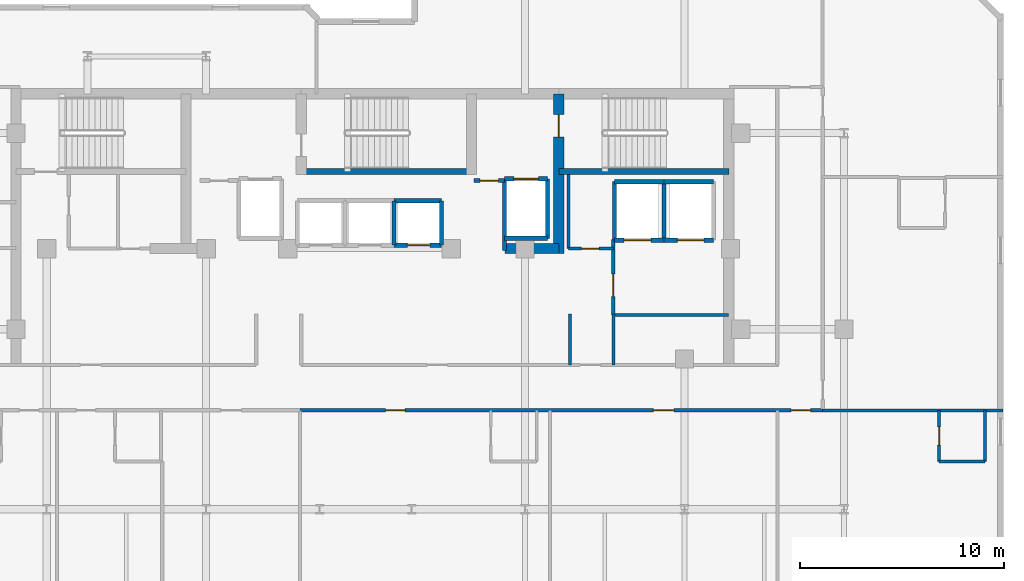
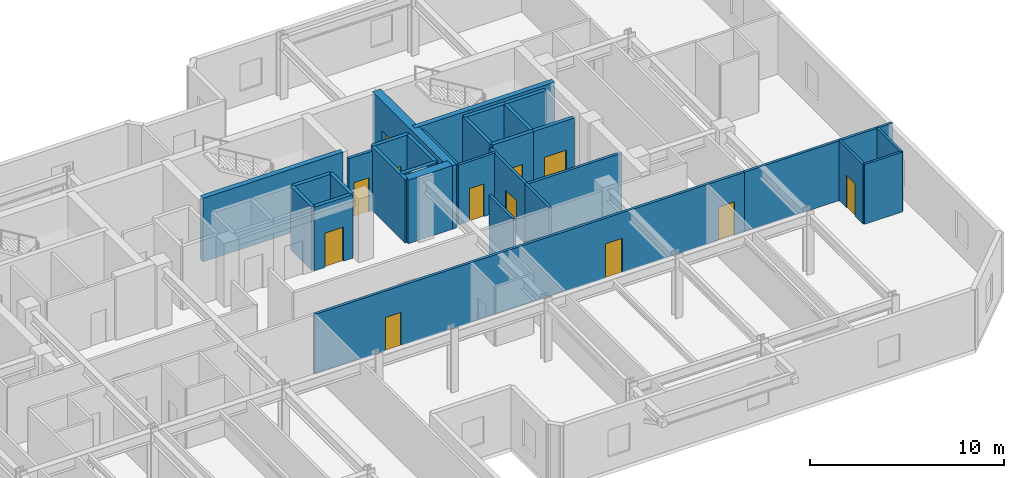
# One storey, part 6 of 10: 30 walls, 12 doors, 12 openings.
"""IFC4 building model written with IfcOpenShell, lengths in metres."""

from ifc_helpers import new_model, si_unit, direction, frame, frame_2d, origin, place, context, subcontext, project, spatial, rectangle, extrude, material, layer, layer_set, type_object, element, fill, save


model = new_model("IFC4")

# Units and contexts
model_context = context("Model", 3, precision=1e-05, world=origin(), true_north=direction((0.0, 1.0)))
body_context = subcontext(model_context, "Body", "Model", "MODEL_VIEW")
ifc_project = project(units=[si_unit("LENGTHUNIT", "METRE"), si_unit("AREAUNIT", "SQUARE_METRE"), si_unit("VOLUMEUNIT", "CUBIC_METRE"), si_unit("PLANEANGLEUNIT", "RADIAN"), si_unit("MASSUNIT", "GRAM", prefix="KILO")], contexts=[model_context])

# Site, building, storey
site_placement = place(None, origin())
site = spatial("IfcSite", under=ifc_project, at=site_placement, CompositionType="ELEMENT")
building_placement = place(site_placement, origin())
building = spatial("IfcBuilding", under=site, at=building_placement, Name="Kestravale Grand Hotel", CompositionType="ELEMENT")
storey_placement = place(building_placement, frame((0.0, 0.0, 281.39990234375)))
storey = spatial("IfcBuildingStorey", under=building, at=storey_placement, Name="L70", CompositionType="ELEMENT", Elevation=281.39990234375)

# Wall
ifc_material_1 = material(Name="Concrete f'c 50 MPa", Category="concrete")
ifc_layer_1 = layer(ifc_material_1, 0.5)
ifc_layer_set_1 = layer_set([ifc_layer_1], Name="EW-CORE-500")
wall_type_1 = type_object("IfcWallType", Name="EW-CORE-500", PredefinedType="SHEAR", material=ifc_layer_set_1)
wall_1_placement = place(storey_placement, frame((45.81005859375, 32.75, 0.0), z_axis=(0.0, 0.0, 1.0), x_axis=(1.0, 0.0, 0.0)))
element("IfcWall", 1, at=wall_1_placement, inside=storey, type_object=wall_type_1, Name="L70 core shear wall S2", PredefinedType="SHEAR", context=body_context, shape_type="SweptSolid", body=[
    extrude(rectangle(XDim=2.639892578125, YDim=0.5, at=frame_2d((1.31982421875, 0.0))), origin(), (0.0, 0.0, 1.0), 4.0),
])

# Wall, opening, door
wall_2_placement = place(storey_placement, frame((48.449951171875, 32.5, 0.0), z_axis=(0.0, 0.0, 1.0), x_axis=(0.0, 1.0, 0.0)))
wall_2 = element("IfcWall", 2, at=wall_2_placement, inside=storey, type_object=wall_type_1, Name="L70 core shear wall X4", PredefinedType="SHEAR", context=body_context, shape_type="SweptSolid", body=[
    extrude(rectangle(XDim=7.820068359375, YDim=0.5, at=frame_2d((3.91015625, 0.0))), origin(), (0.0, 0.0, 1.0), 4.0),
])
opening_1_placement = place(wall_2_placement, frame((5.699951171875, 0.0, 0.0)))
opening_1 = element("IfcOpeningElement", 3, at=opening_1_placement, cuts=wall_2, Name="Opening D-ST-1100", PredefinedType="OPENING", context=body_context, shape_type="SweptSolid", body=[
    extrude(rectangle(XDim=1.10009765625, YDim=2.14990234375, at=frame_2d((0.550048828125, 1.074951171875))), frame((0.0, 0.260009765625, 0.0), z_axis=(0.0, -1.0, 0.0), x_axis=(1.0, 0.0, 0.0)), (0.0, 0.0, 1.0), 0.52001953125),
])
ifc_material_2 = material(Name="Galvanised 90-minute fire-rated steel stair door", Category="steel")
door_type_1 = type_object("IfcDoorType", Name="D-ST-1100", OperationType="NOTDEFINED", PredefinedType="DOOR", material=ifc_material_2)
door_1_placement = place(opening_1_placement, origin())
door_1 = element("IfcDoor", 4, at=door_1_placement, inside=storey, type_object=door_type_1, Name="L70 Stair ST-3 FSAE fire door", OperationType="SINGLE_SWING_RIGHT", OverallHeight=2.14990234375, OverallWidth=1.10009765625, PredefinedType="DOOR", context=body_context, shape_type="SweptSolid", body=[
    extrude(rectangle(XDim=1.10009765625, YDim=2.14990234375, at=frame_2d((0.550048828125, 1.074951171875))), frame((0.0, 0.02490234375, 0.0), z_axis=(0.0, -1.0, 0.0), x_axis=(1.0, 0.0, 0.0)), (0.0, 0.0, 1.0), 0.050048828125),
])
fill(opening_1, door_1)

# Walls
ifc_material_3 = material(Name="Concrete f'c 45 MPa", Category="concrete")
ifc_layer_2 = layer(ifc_material_3, 0.300048828125)
ifc_layer_set_2 = layer_set([ifc_layer_2], Name="EW-STAIR-300")
wall_type_2 = type_object("IfcWallType", Name="EW-STAIR-300", PredefinedType="SHEAR", material=ifc_layer_set_2)
wall_3_placement = place(storey_placement, frame((35.85009765625, 36.52001953125, 0.0), z_axis=(0.0, 0.0, 1.0), x_axis=(1.0, 0.0, 0.0)))
element("IfcWall", 5, at=wall_3_placement, inside=storey, type_object=wall_type_2, Name="L70 stair enclosure shear wall SST2", PredefinedType="SHEAR", context=body_context, shape_type="SweptSolid", body=[
    extrude(rectangle(XDim=8.329833984375, YDim=0.300048828125, at=frame_2d((4.1650390625, 0.0))), origin(), (0.0, 0.0, 1.0), 4.0),
])
wall_4_placement = place(storey_placement, frame((48.449951171875, 36.52001953125, 0.0), z_axis=(0.0, 0.0, 1.0), x_axis=(1.0, 0.0, 0.0)))
element("IfcWall", 6, at=wall_4_placement, inside=storey, type_object=wall_type_2, Name="L70 stair enclosure shear wall SST3", PredefinedType="SHEAR", context=body_context, shape_type="SweptSolid", body=[
    extrude(rectangle(XDim=8.320068359375, YDim=0.300048828125, at=frame_2d((4.16015625, 0.0))), origin(), (0.0, 0.0, 1.0), 4.0),
])

# Wall, opening, door
ifc_material_4 = material(Name="Acoustic fire-rated gypsum board partition", Category="other")
ifc_layer_3 = layer(ifc_material_4, 0.159912109375)
ifc_layer_set_3 = layer_set([ifc_layer_3], Name="IW-CORR-160")
wall_type_3 = type_object("IfcWallType", Name="IW-CORR-160", PredefinedType="PARTITIONING", material=ifc_layer_set_3)
wall_5_placement = place(storey_placement, frame((51.1201171875, 29.5, 0.0), z_axis=(0.0, 0.0, 1.0), x_axis=(0.0, 1.0, 0.0)))
wall_5 = element("IfcWall", 7, at=wall_5_placement, inside=storey, type_object=wall_type_3, Name="W-L70-SVCLOB-W", PredefinedType="PARTITIONING", context=body_context, shape_type="SweptSolid", body=[
    extrude(rectangle(XDim=3.699951171875, YDim=0.159912109375, at=frame_2d((1.85009765625, 0.0))), origin(), (0.0, 0.0, 1.0), 3.760009765625),
])
opening_2_placement = place(wall_5_placement, frame((0.89990234375, 0.0, 0.0)))
opening_2 = element("IfcOpeningElement", 8, at=opening_2_placement, cuts=wall_5, Name="Opening D-CORR-1100", PredefinedType="OPENING", context=body_context, shape_type="SweptSolid", body=[
    extrude(rectangle(XDim=1.10009765625, YDim=2.14990234375, at=frame_2d((0.550048828125, 1.074951171875))), frame((0.0, 0.08984375, 0.0), z_axis=(0.0, -1.0, 0.0), x_axis=(1.0, 0.0, 0.0)), (0.0, 0.0, 1.0), 0.179931640625),
])
ifc_material_5 = material(Name="Single-leaf service vestibule fire door", Category="steel")
door_type_2 = type_object("IfcDoorType", Name="D-CORR-1100", OperationType="NOTDEFINED", PredefinedType="DOOR", material=ifc_material_5)
door_2_placement = place(opening_2_placement, origin())
door_2 = element("IfcDoor", 9, at=door_2_placement, inside=storey, type_object=door_type_2, Name="L70 service lift lobby door", OperationType="SINGLE_SWING_LEFT", OverallHeight=2.14990234375, OverallWidth=1.10009765625, PredefinedType="DOOR", context=body_context, shape_type="SweptSolid", body=[
    extrude(rectangle(XDim=1.10009765625, YDim=2.14990234375, at=frame_2d((0.550048828125, 1.074951171875))), frame((0.0, 0.02490234375, 0.0), z_axis=(0.0, -1.0, 0.0), x_axis=(1.0, 0.0, 0.0)), (0.0, 0.0, 1.0), 0.050048828125),
])
fill(opening_2, door_2)

# Wall
wall_6_placement = place(storey_placement, frame((51.1201171875, 29.5, 0.0), z_axis=(0.0, 0.0, 1.0), x_axis=(1.0, 0.0, 0.0)))
element("IfcWall", 10, at=wall_6_placement, inside=storey, type_object=wall_type_3, Name="L70 service lift lobby wall", PredefinedType="PARTITIONING", context=body_context, shape_type="SweptSolid", body=[
    extrude(rectangle(XDim=5.6298828125, YDim=0.159912109375, at=frame_2d((2.81494140625, 0.0))), origin(), (0.0, 0.0, 1.0), 3.760009765625),
])

# Wall, opening, door
wall_7_placement = place(storey_placement, frame((48.919921875, 32.75, 0.0), z_axis=(0.0, 0.0, 1.0), x_axis=(1.0, 0.0, 0.0)))
wall_7 = element("IfcWall", 11, at=wall_7_placement, inside=storey, type_object=wall_type_3, Name="W-L70-CES", PredefinedType="PARTITIONING", context=body_context, shape_type="SweptSolid", body=[
    extrude(rectangle(XDim=2.2001953125, YDim=0.159912109375, at=frame_2d((1.10009765625, 0.0))), origin(), (0.0, 0.0, 1.0), 3.760009765625),
])
opening_3_placement = place(wall_7_placement, frame((0.64990234375, 0.0, 0.0)))
opening_3 = element("IfcOpeningElement", 12, at=opening_3_placement, cuts=wall_7, Name="Opening D-SH-860", PredefinedType="OPENING", context=body_context, shape_type="SweptSolid", body=[
    extrude(rectangle(XDim=0.860107421875, YDim=2.050048828125, at=frame_2d((0.43017578125, 1.02490234375))), frame((0.0, 0.08984375, 0.0), z_axis=(0.0, -1.0, 0.0), x_axis=(1.0, 0.0, 0.0)), (0.0, 0.0, 1.0), 0.179931640625),
])
ifc_material_6 = material(Name="Galvanised 90-minute riser fire door", Category="steel")
door_type_3 = type_object("IfcDoorType", Name="D-SH-860", OperationType="NOTDEFINED", PredefinedType="DOOR", material=ifc_material_6)
door_3_placement = place(opening_3_placement, origin())
door_3 = element("IfcDoor", 13, at=door_3_placement, inside=storey, type_object=door_type_3, Name="L70 CSTO1 door", OperationType="SINGLE_SWING_RIGHT", OverallHeight=2.050048828125, OverallWidth=0.860107421875, PredefinedType="DOOR", context=body_context, shape_type="SweptSolid", body=[
    extrude(rectangle(XDim=0.860107421875, YDim=2.050048828125, at=frame_2d((0.43017578125, 1.02490234375))), frame((0.0, 0.02490234375, 0.0), z_axis=(0.0, -1.0, 0.0), x_axis=(1.0, 0.0, 0.0)), (0.0, 0.0, 1.0), 0.050048828125),
])
fill(opening_3, door_3)

# Wall, openings, doors
wall_8_placement = place(storey_placement, frame((35.800048828125, 24.840087890625, 0.0), z_axis=(0.0, 0.0, 1.0), x_axis=(1.0, 0.0, 0.0)))
wall_8 = element("IfcWall", 14, at=wall_8_placement, inside=storey, type_object=wall_type_3, Name="W-L70-CE-S", PredefinedType="PARTITIONING", context=body_context, shape_type="SweptSolid", body=[
    extrude(rectangle(XDim=25.56005859375, YDim=0.159912109375, at=frame_2d((12.780029296875, 0.0))), origin(), (0.0, 0.0, 1.0), 3.760009765625),
])
opening_4_placement = place(wall_8_placement, frame((4.18505859375, 0.0, 0.0)))
opening_4 = element("IfcOpeningElement", 15, at=opening_4_placement, cuts=wall_8, Name="Opening D-GUEST-950", PredefinedType="OPENING", context=body_context, shape_type="SweptSolid", body=[
    extrude(rectangle(XDim=0.949951171875, YDim=2.10009765625, at=frame_2d((0.47509765625, 1.050048828125))), frame((0.0, 0.08984375, 0.0), z_axis=(0.0, -1.0, 0.0), x_axis=(1.0, 0.0, 0.0)), (0.0, 0.0, 1.0), 0.179931640625),
])
opening_5_placement = place(wall_8_placement, frame((17.280029296875, 0.0, 0.0)))
opening_5 = element("IfcOpeningElement", 16, at=opening_5_placement, cuts=wall_8, Name="Opening D-GUEST-1000", PredefinedType="OPENING", context=body_context, shape_type="SweptSolid", body=[
    extrude(rectangle(XDim=1.0, YDim=2.14990234375, at=frame_2d((0.5, 1.074951171875))), frame((0.0, 0.08984375, 0.0), z_axis=(0.0, -1.0, 0.0), x_axis=(1.0, 0.0, 0.0)), (0.0, 0.0, 1.0), 0.179931640625),
])
opening_6_placement = place(wall_8_placement, frame((24.014892578125, 0.0, 0.0)))
opening_6 = element("IfcOpeningElement", 17, at=opening_6_placement, cuts=wall_8, Name="Opening D-GUEST-950", PredefinedType="OPENING", context=body_context, shape_type="SweptSolid", body=[
    extrude(rectangle(XDim=0.949951171875, YDim=2.10009765625, at=frame_2d((0.47509765625, 1.050048828125))), frame((0.0, 0.08984375, 0.0), z_axis=(0.0, -1.0, 0.0), x_axis=(1.0, 0.0, 0.0)), (0.0, 0.0, 1.0), 0.179931640625),
])
ifc_material_7 = material(Name="Accessible walnut veneer hotel entrance fire door", Category="wood")
door_type_4 = type_object("IfcDoorType", Name="D-GUEST-1000", OperationType="NOTDEFINED", PredefinedType="DOOR", material=ifc_material_7)
door_4_placement = place(opening_5_placement, origin())
door_4 = element("IfcDoor", 18, at=door_4_placement, inside=storey, type_object=door_type_4, Name="D-L70-AME", OperationType="SINGLE_SWING_LEFT", OverallHeight=2.14990234375, OverallWidth=1.0, PredefinedType="DOOR", context=body_context, shape_type="SweptSolid", body=[
    extrude(rectangle(XDim=1.0, YDim=2.14990234375, at=frame_2d((0.5, 1.074951171875))), frame((0.0, 0.02490234375, 0.0), z_axis=(0.0, -1.0, 0.0), x_axis=(1.0, 0.0, 0.0)), (0.0, 0.0, 1.0), 0.050048828125),
])
fill(opening_5, door_4)
ifc_material_8 = material(Name="Walnut veneer hotel guestroom entrance fire door", Category="wood")
door_type_5 = type_object("IfcDoorType", Name="D-GUEST-950", OperationType="NOTDEFINED", PredefinedType="DOOR", material=ifc_material_8)
door_5_placement = place(opening_4_placement, origin())
door_5 = element("IfcDoor", 19, at=door_5_placement, inside=storey, type_object=door_type_5, Name="D-L70-U03-ENT", OperationType="SINGLE_SWING_RIGHT", OverallHeight=2.10009765625, OverallWidth=0.949951171875, PredefinedType="DOOR", context=body_context, shape_type="SweptSolid", body=[
    extrude(rectangle(XDim=0.949951171875, YDim=2.10009765625, at=frame_2d((0.47509765625, 1.050048828125))), frame((0.0, 0.02490234375, 0.0), z_axis=(0.0, -1.0, 0.0), x_axis=(1.0, 0.0, 0.0)), (0.0, 0.0, 1.0), 0.050048828125),
])
fill(opening_4, door_5)
door_6_placement = place(opening_6_placement, origin())
door_6 = element("IfcDoor", 20, at=door_6_placement, inside=storey, type_object=door_type_5, Name="D-L70-U07-ENT", OperationType="SINGLE_SWING_RIGHT", OverallHeight=2.10009765625, OverallWidth=0.949951171875, PredefinedType="DOOR", context=body_context, shape_type="SweptSolid", body=[
    extrude(rectangle(XDim=0.949951171875, YDim=2.10009765625, at=frame_2d((0.47509765625, 1.050048828125))), frame((0.0, 0.02490234375, 0.0), z_axis=(0.0, -1.0, 0.0), x_axis=(1.0, 0.0, 0.0)), (0.0, 0.0, 1.0), 0.050048828125),
])
fill(opening_6, door_6)

# Wall, opening, door
ifc_material_9 = material(Name="Fire-rated gypsum board on steel studs with mineral wool", Category="steel")
ifc_layer_4 = layer(ifc_material_9, 0.179931640625)
ifc_layer_set_4 = layer_set([ifc_layer_4], Name="IW-FSAE-180")
wall_type_4 = type_object("IfcWallType", Name="IW-FSAE-180", PredefinedType="PARTITIONING", material=ifc_layer_set_4)
wall_9_placement = place(storey_placement, frame((44.300048828125, 36.080078125, 0.0), z_axis=(0.0, 0.0, 1.0), x_axis=(1.0, 0.0, 0.0)))
wall_9 = element("IfcWall", 21, at=wall_9_placement, inside=storey, type_object=wall_type_4, Name="L70 FSAE Lobby 2 smoke barrier", PredefinedType="PARTITIONING", context=body_context, shape_type="SweptSolid", body=[
    extrude(rectangle(XDim=1.5, YDim=0.179931640625, at=frame_2d((0.75, 0.0))), origin(), (0.0, 0.0, 1.0), 3.760009765625),
])
opening_7_placement = place(wall_9_placement, frame((0.300048828125, 0.0, 0.0)))
opening_7 = element("IfcOpeningElement", 22, at=opening_7_placement, cuts=wall_9, Name="Opening D-FSAE-1000", PredefinedType="OPENING", context=body_context, shape_type="SweptSolid", body=[
    extrude(rectangle(XDim=0.89990234375, YDim=2.14990234375, at=frame_2d((0.449951171875, 1.074951171875))), frame((0.0, 0.099853515625, 0.0), z_axis=(0.0, -1.0, 0.0), x_axis=(1.0, 0.0, 0.0)), (0.0, 0.0, 1.0), 0.199951171875),
])
ifc_material_10 = material(Name="Smoke-gasketed FSAE lobby fire door", Category="steel")
door_type_6 = type_object("IfcDoorType", Name="D-FSAE-1000", OperationType="NOTDEFINED", PredefinedType="DOOR", material=ifc_material_10)
door_7_placement = place(opening_7_placement, origin())
door_7 = element("IfcDoor", 23, at=door_7_placement, inside=storey, type_object=door_type_6, Name="L70 FSAE Lobby 2 fire door", OperationType="SINGLE_SWING_LEFT", OverallHeight=2.14990234375, OverallWidth=0.89990234375, PredefinedType="DOOR", context=body_context, shape_type="SweptSolid", body=[
    extrude(rectangle(XDim=0.89990234375, YDim=2.14990234375, at=frame_2d((0.449951171875, 1.074951171875))), frame((0.0, 0.02490234375, 0.0), z_axis=(0.0, -1.0, 0.0), x_axis=(1.0, 0.0, 0.0)), (0.0, 0.0, 1.0), 0.050048828125),
])
fill(opening_7, door_7)

ifc_material_11 = material(Name="Moisture-resistant tile-backer plumbing chase wall", Category="other")
ifc_layer_5 = layer(ifc_material_11, 0.139892578125)
ifc_layer_set_5 = layer_set([ifc_layer_5], Name="IW-PLB-140")
wall_type_5 = type_object("IfcWallType", Name="IW-PLB-140", PredefinedType="PLUMBINGWALL", material=ifc_layer_set_5)
wall_10_placement = place(storey_placement, frame((67.050048828125, 22.330078125, 0.0), z_axis=(0.0, 0.0, 1.0), x_axis=(0.0, 1.0, 0.0)))
wall_10 = element("IfcWall", 24, at=wall_10_placement, inside=storey, type_object=wall_type_5, Name="W-L70-U07-BW", PredefinedType="PLUMBINGWALL", context=body_context, shape_type="SweptSolid", body=[
    extrude(rectangle(XDim=2.489990234375, YDim=0.139892578125, at=frame_2d((1.2451171875, 0.0))), origin(), (0.0, 0.0, 1.0), 3.760009765625),
])
opening_8_placement = place(wall_10_placement, frame((0.804931640625, 0.0, 0.0)))
opening_8 = element("IfcOpeningElement", 25, at=opening_8_placement, cuts=wall_10, Name="Opening D-BATH-880", PredefinedType="OPENING", context=body_context, shape_type="SweptSolid", body=[
    extrude(rectangle(XDim=0.8798828125, YDim=2.050048828125, at=frame_2d((0.43994140625, 1.02490234375))), frame((0.0, 0.079833984375, 0.0), z_axis=(0.0, -1.0, 0.0), x_axis=(1.0, 0.0, 0.0)), (0.0, 0.0, 1.0), 0.159912109375),
])
ifc_material_12 = material(Name="Moisture-sealed walnut en-suite bathroom door", Category="wood")
door_type_7 = type_object("IfcDoorType", Name="D-BATH-880", OperationType="NOTDEFINED", PredefinedType="DOOR", material=ifc_material_12)
door_8_placement = place(opening_8_placement, origin())
door_8 = element("IfcDoor", 26, at=door_8_placement, inside=storey, type_object=door_type_7, Name="D-L70-U07-BATH", OperationType="SINGLE_SWING_LEFT", OverallHeight=2.050048828125, OverallWidth=0.8798828125, PredefinedType="DOOR", context=body_context, shape_type="SweptSolid", body=[
    extrude(rectangle(XDim=0.8798828125, YDim=2.050048828125, at=frame_2d((0.43994140625, 1.02490234375))), frame((0.0, 0.02490234375, 0.0), z_axis=(0.0, -1.0, 0.0), x_axis=(1.0, 0.0, 0.0)), (0.0, 0.0, 1.0), 0.050048828125),
])
fill(opening_8, door_8)

# Walls
wall_11_placement = place(storey_placement, frame((69.300048828125, 22.330078125, 0.0), z_axis=(0.0, 0.0, 1.0), x_axis=(0.0, 1.0, 0.0)))
element("IfcWall", 27, at=wall_11_placement, inside=storey, type_object=wall_type_5, Name="W-L70-U07-BE", PredefinedType="PLUMBINGWALL", context=body_context, shape_type="SweptSolid", body=[
    extrude(rectangle(XDim=2.489990234375, YDim=0.139892578125, at=frame_2d((1.2451171875, 0.0))), origin(), (0.0, 0.0, 1.0), 3.760009765625),
])
wall_12_placement = place(storey_placement, frame((67.050048828125, 22.330078125, 0.0), z_axis=(0.0, 0.0, 1.0), x_axis=(1.0, 0.0, 0.0)))
element("IfcWall", 28, at=wall_12_placement, inside=storey, type_object=wall_type_5, Name="W-L70-U07-BS", PredefinedType="PLUMBINGWALL", context=body_context, shape_type="SweptSolid", body=[
    extrude(rectangle(XDim=2.25, YDim=0.139892578125, at=frame_2d((1.125, 0.0))), origin(), (0.0, 0.0, 1.0), 3.760009765625),
])
ifc_material_13 = material(Name="Concrete f'c 45 MPa", Category="concrete")
ifc_layer_6 = layer(ifc_material_13, 0.199951171875)
ifc_layer_set_6 = layer_set([ifc_layer_6], Name="IW-SHAFT-200")
wall_type_6 = type_object("IfcWallType", Name="IW-SHAFT-200", PredefinedType="SHEAR", material=ifc_layer_set_6)
for number, where, z_axis, x_axis, name in (
    (29, (40.39990234375, 32.919921875, 0.0), (0.0, 0.0, 1.0), (0.0, 1.0, 0.0), "L70 PL-X3 west shaft wall"),
    (30, (42.719970703125, 32.919921875, 0.0), (0.0, 0.0, 1.0), (0.0, 1.0, 0.0), "L70 PL-X3 east shaft wall"),
):
    element("IfcWall", number, at=place(storey_placement, frame(where, z_axis=z_axis, x_axis=x_axis)), inside=storey, type_object=wall_type_6, Name=name, PredefinedType="SHEAR", context=body_context, shape_type="SweptSolid", body=[
        extrude(rectangle(XDim=2.16015625, YDim=0.199951171875, at=frame_2d((1.080078125, 0.0))), origin(), (0.0, 0.0, 1.0), 4.0),
    ])
for number, where, z_axis, x_axis, name in (
    (31, (51.179931640625, 33.169921875, 0.0), (0.0, 0.0, 1.0), (0.0, 1.0, 0.0), "L70 SL-1 west shaft wall"),
    (32, (53.60009765625, 33.169921875, 0.0), (0.0, 0.0, 1.0), (0.0, 1.0, 0.0), "L70 SL-2 west shaft wall"),
):
    element("IfcWall", number, at=place(storey_placement, frame(where, z_axis=z_axis, x_axis=x_axis)), inside=storey, type_object=wall_type_6, Name=name, PredefinedType="SHEAR", context=body_context, shape_type="SweptSolid", body=[
        extrude(rectangle(XDim=2.860107421875, YDim=0.199951171875, at=frame_2d((1.43017578125, 0.0))), origin(), (0.0, 0.0, 1.0), 4.0),
    ])
wall_13_placement = place(storey_placement, frame((45.804931640625, 32.64990234375, 0.0), z_axis=(0.0, 0.0, 1.0), x_axis=(0.0, 1.0, 0.0)))
element("IfcWall", 33, at=wall_13_placement, inside=storey, type_object=wall_type_6, Name="L70 FL-2 west shaft wall", PredefinedType="SHEAR", context=body_context, shape_type="SweptSolid", body=[
    extrude(rectangle(XDim=3.505126953125, YDim=0.199951171875, at=frame_2d((1.75244140625, 0.0))), origin(), (0.0, 0.0, 1.0), 4.0),
])
wall_14_placement = place(storey_placement, frame((47.89501953125, 33.2451171875, 0.0), z_axis=(0.0, 0.0, 1.0), x_axis=(0.0, 1.0, 0.0)))
element("IfcWall", 34, at=wall_14_placement, inside=storey, type_object=wall_type_6, Name="L70 FL-2 east shaft wall", PredefinedType="SHEAR", context=body_context, shape_type="SweptSolid", body=[
    extrude(rectangle(XDim=2.909912109375, YDim=0.199951171875, at=frame_2d((1.455078125, 0.0))), origin(), (0.0, 0.0, 1.0), 4.0),
])
ifc_material_14 = material(Name="Concrete f'c 45 MPa", Category="concrete")
ifc_layer_7 = layer(ifc_material_14, 0.219970703125)
ifc_layer_set_7 = layer_set([ifc_layer_7], Name="IW-SHAFT-220")
wall_type_7 = type_object("IfcWallType", Name="IW-SHAFT-220", PredefinedType="SHEAR", material=ifc_layer_set_7)
wall_15_placement = place(storey_placement, frame((40.39990234375, 35.080078125, 0.0), z_axis=(0.0, 0.0, 1.0), x_axis=(1.0, 0.0, 0.0)))
element("IfcWall", 35, at=wall_15_placement, inside=storey, type_object=wall_type_7, Name="L70 PL-X3 north shaft wall", PredefinedType="SHEAR", context=body_context, shape_type="SweptSolid", body=[
    extrude(rectangle(XDim=2.320068359375, YDim=0.219970703125, at=frame_2d((1.16015625, 0.0))), origin(), (0.0, 0.0, 1.0), 4.0),
])

# Wall, opening, door
wall_16_placement = place(storey_placement, frame((40.39990234375, 32.919921875, 0.0), z_axis=(0.0, 0.0, 1.0), x_axis=(1.0, 0.0, 0.0)))
wall_16 = element("IfcWall", 36, at=wall_16_placement, inside=storey, type_object=wall_type_7, Name="L70 PL-X3 south shaft wall", PredefinedType="SHEAR", context=body_context, shape_type="SweptSolid", body=[
    extrude(rectangle(XDim=2.320068359375, YDim=0.219970703125, at=frame_2d((1.16015625, 0.0))), origin(), (0.0, 0.0, 1.0), 4.0),
])
opening_9_placement = place(wall_16_placement, frame((0.64990234375, 0.0, 0.0)))
opening_9 = element("IfcOpeningElement", 37, at=opening_9_placement, cuts=wall_16, Name="Opening LD-PAX-1100", PredefinedType="OPENING", context=body_context, shape_type="SweptSolid", body=[
    extrude(rectangle(XDim=1.10009765625, YDim=2.14990234375, at=frame_2d((0.550048828125, 1.074951171875))), frame((0.0, 0.119873046875, 0.0), z_axis=(0.0, -1.0, 0.0), x_axis=(1.0, 0.0, 0.0)), (0.0, 0.0, 1.0), 0.239990234375),
])
ifc_material_15 = material(Name="Champagne-bronze center-opening sliding elevator landing door", Category="steel")
door_type_8 = type_object("IfcDoorType", Name="LD-PAX-1100", OperationType="NOTDEFINED", PredefinedType="DOOR", material=ifc_material_15)
door_9_placement = place(opening_9_placement, origin())
door_9 = element("IfcDoor", 38, at=door_9_placement, inside=storey, type_object=door_type_8, Name="L70 PL-X3 elevator landing sliding door", OperationType="DOUBLE_DOOR_SLIDING", OverallHeight=2.14990234375, OverallWidth=1.10009765625, PredefinedType="DOOR", context=body_context, shape_type="SweptSolid", body=[
    extrude(rectangle(XDim=1.10009765625, YDim=2.14990234375, at=frame_2d((0.550048828125, 1.074951171875))), frame((0.0, 0.02490234375, 0.0), z_axis=(0.0, -1.0, 0.0), x_axis=(1.0, 0.0, 0.0)), (0.0, 0.0, 1.0), 0.050048828125),
])
fill(opening_9, door_9)

# Wall
wall_17_placement = place(storey_placement, frame((51.179931640625, 36.030029296875, 0.0), z_axis=(0.0, 0.0, 1.0), x_axis=(1.0, 0.0, 0.0)))
element("IfcWall", 39, at=wall_17_placement, inside=storey, type_object=wall_type_7, Name="L70 SL-1 north shaft wall", PredefinedType="SHEAR", context=body_context, shape_type="SweptSolid", body=[
    extrude(rectangle(XDim=2.420166015625, YDim=0.219970703125, at=frame_2d((1.2099609375, 0.0))), origin(), (0.0, 0.0, 1.0), 4.0),
])

# Wall, opening, door
wall_18_placement = place(storey_placement, frame((51.179931640625, 33.169921875, 0.0), z_axis=(0.0, 0.0, 1.0), x_axis=(1.0, 0.0, 0.0)))
wall_18 = element("IfcWall", 40, at=wall_18_placement, inside=storey, type_object=wall_type_7, Name="L70 SL-1 south shaft wall", PredefinedType="SHEAR", context=body_context, shape_type="SweptSolid", body=[
    extrude(rectangle(XDim=2.420166015625, YDim=0.219970703125, at=frame_2d((1.2099609375, 0.0))), origin(), (0.0, 0.0, 1.0), 4.0),
])
opening_10_placement = place(wall_18_placement, frame((0.469970703125, 0.0, 0.0)))
opening_10 = element("IfcOpeningElement", 41, at=opening_10_placement, cuts=wall_18, Name="Opening LD-SVC-1300", PredefinedType="OPENING", context=body_context, shape_type="SweptSolid", body=[
    extrude(rectangle(XDim=1.300048828125, YDim=2.14990234375, at=frame_2d((0.64990234375, 1.074951171875))), frame((0.0, 0.119873046875, 0.0), z_axis=(0.0, -1.0, 0.0), x_axis=(1.0, 0.0, 0.0)), (0.0, 0.0, 1.0), 0.239990234375),
])
ifc_material_16 = material(Name="Heavy-duty service sliding elevator landing door", Category="steel")
door_type_9 = type_object("IfcDoorType", Name="LD-SVC-1300", OperationType="NOTDEFINED", PredefinedType="DOOR", material=ifc_material_16)
door_10_placement = place(opening_10_placement, origin())
door_10 = element("IfcDoor", 42, at=door_10_placement, inside=storey, type_object=door_type_9, Name="L70 SL-1 elevator landing sliding door", OperationType="DOUBLE_DOOR_SLIDING", OverallHeight=2.14990234375, OverallWidth=1.300048828125, PredefinedType="DOOR", context=body_context, shape_type="SweptSolid", body=[
    extrude(rectangle(XDim=1.300048828125, YDim=2.14990234375, at=frame_2d((0.64990234375, 1.074951171875))), frame((0.0, 0.02490234375, 0.0), z_axis=(0.0, -1.0, 0.0), x_axis=(1.0, 0.0, 0.0)), (0.0, 0.0, 1.0), 0.050048828125),
])
fill(opening_10, door_10)

# Wall
wall_19_placement = place(storey_placement, frame((53.60009765625, 36.030029296875, 0.0), z_axis=(0.0, 0.0, 1.0), x_axis=(1.0, 0.0, 0.0)))
element("IfcWall", 43, at=wall_19_placement, inside=storey, type_object=wall_type_7, Name="L70 SL-2 north shaft wall", PredefinedType="SHEAR", context=body_context, shape_type="SweptSolid", body=[
    extrude(rectangle(XDim=2.419921875, YDim=0.219970703125, at=frame_2d((1.2099609375, 0.0))), origin(), (0.0, 0.0, 1.0), 4.0),
])

# Wall, opening, door
wall_20_placement = place(storey_placement, frame((53.60009765625, 33.169921875, 0.0), z_axis=(0.0, 0.0, 1.0), x_axis=(1.0, 0.0, 0.0)))
wall_20 = element("IfcWall", 44, at=wall_20_placement, inside=storey, type_object=wall_type_7, Name="L70 SL-2 south shaft wall", PredefinedType="SHEAR", context=body_context, shape_type="SweptSolid", body=[
    extrude(rectangle(XDim=2.419921875, YDim=0.219970703125, at=frame_2d((1.2099609375, 0.0))), origin(), (0.0, 0.0, 1.0), 4.0),
])
opening_11_placement = place(wall_20_placement, frame((0.64990234375, 0.0, 0.0)))
opening_11 = element("IfcOpeningElement", 45, at=opening_11_placement, cuts=wall_20, Name="Opening LD-SVC-1300", PredefinedType="OPENING", context=body_context, shape_type="SweptSolid", body=[
    extrude(rectangle(XDim=1.300048828125, YDim=2.14990234375, at=frame_2d((0.64990234375, 1.074951171875))), frame((0.0, 0.119873046875, 0.0), z_axis=(0.0, -1.0, 0.0), x_axis=(1.0, 0.0, 0.0)), (0.0, 0.0, 1.0), 0.239990234375),
])
door_11_placement = place(opening_11_placement, origin())
door_11 = element("IfcDoor", 46, at=door_11_placement, inside=storey, type_object=door_type_9, Name="L70 SL-2 elevator landing sliding door", OperationType="DOUBLE_DOOR_SLIDING", OverallHeight=2.14990234375, OverallWidth=1.300048828125, PredefinedType="DOOR", context=body_context, shape_type="SweptSolid", body=[
    extrude(rectangle(XDim=1.300048828125, YDim=2.14990234375, at=frame_2d((0.64990234375, 1.074951171875))), frame((0.0, 0.02490234375, 0.0), z_axis=(0.0, -1.0, 0.0), x_axis=(1.0, 0.0, 0.0)), (0.0, 0.0, 1.0), 0.050048828125),
])
fill(opening_11, door_11)

wall_21_placement = place(storey_placement, frame((45.804931640625, 36.155029296875, 0.0), z_axis=(0.0, 0.0, 1.0), x_axis=(1.0, 0.0, 0.0)))
wall_21 = element("IfcWall", 47, at=wall_21_placement, inside=storey, type_object=wall_type_7, Name="L70 FL-2 north shaft wall", PredefinedType="SHEAR", context=body_context, shape_type="SweptSolid", body=[
    extrude(rectangle(XDim=2.090087890625, YDim=0.219970703125, at=frame_2d((1.044921875, 0.0))), origin(), (0.0, 0.0, 1.0), 4.0),
])
opening_12_placement = place(wall_21_placement, frame((0.445068359375, 0.0, 0.0)))
opening_12 = element("IfcOpeningElement", 48, at=opening_12_placement, cuts=wall_21, Name="Opening LD-FSAE-1200", PredefinedType="OPENING", context=body_context, shape_type="SweptSolid", body=[
    extrude(rectangle(XDim=1.199951171875, YDim=2.14990234375, at=frame_2d((0.60009765625, 1.074951171875))), frame((0.0, 0.119873046875, 0.0), z_axis=(0.0, -1.0, 0.0), x_axis=(1.0, 0.0, 0.0)), (0.0, 0.0, 1.0), 0.239990234375),
])
ifc_material_17 = material(Name="Stainless fire-service sliding elevator landing door", Category="steel")
door_type_10 = type_object("IfcDoorType", Name="LD-FSAE-1200", OperationType="NOTDEFINED", PredefinedType="DOOR", material=ifc_material_17)
door_12_placement = place(opening_12_placement, origin())
door_12 = element("IfcDoor", 49, at=door_12_placement, inside=storey, type_object=door_type_10, Name="L70 FL-2 elevator landing sliding door", OperationType="DOUBLE_DOOR_SLIDING", OverallHeight=2.14990234375, OverallWidth=1.199951171875, PredefinedType="DOOR", context=body_context, shape_type="SweptSolid", body=[
    extrude(rectangle(XDim=1.199951171875, YDim=2.14990234375, at=frame_2d((0.60009765625, 1.074951171875))), frame((0.0, 0.02490234375, 0.0), z_axis=(0.0, -1.0, 0.0), x_axis=(1.0, 0.0, 0.0)), (0.0, 0.0, 1.0), 0.050048828125),
])
fill(opening_12, door_12)

# Walls
wall_22_placement = place(storey_placement, frame((45.804931640625, 33.2451171875, 0.0), z_axis=(0.0, 0.0, 1.0), x_axis=(1.0, 0.0, 0.0)))
element("IfcWall", 50, at=wall_22_placement, inside=storey, type_object=wall_type_7, Name="L70 FL-2 south shaft wall", PredefinedType="SHEAR", context=body_context, shape_type="SweptSolid", body=[
    extrude(rectangle(XDim=2.090087890625, YDim=0.219970703125, at=frame_2d((1.044921875, 0.0))), origin(), (0.0, 0.0, 1.0), 4.0),
])
ifc_material_18 = material(Name="Double-stud STC 52 acoustic demising partition", Category="other")
ifc_layer_8 = layer(ifc_material_18, 0.14990234375)
ifc_layer_set_8 = layer_set([ifc_layer_8], Name="IW-UNIT-150")
wall_type_8 = type_object("IfcWallType", Name="IW-UNIT-150", PredefinedType="PARTITIONING", material=ifc_layer_set_8)
wall_23_placement = place(storey_placement, frame((48.919921875, 32.75, 0.0), z_axis=(0.0, 0.0, 1.0), x_axis=(0.0, 1.0, 0.0)))
element("IfcWall", 51, at=wall_23_placement, inside=storey, type_object=wall_type_8, Name="W-L70-CEW", PredefinedType="PARTITIONING", context=body_context, shape_type="SweptSolid", body=[
    extrude(rectangle(XDim=3.6201171875, YDim=0.14990234375, at=frame_2d((1.81005859375, 0.0))), origin(), (0.0, 0.0, 1.0), 3.760009765625),
])
for number, where, z_axis, x_axis, name in (
    (52, (49.0, 27.06005859375, 0.0), (0.0, 0.0, 1.0), (0.0, 1.0, 0.0), "W-L70-RCLE-M"),
    (53, (51.1201171875, 27.06005859375, 0.0), (0.0, 0.0, 1.0), (0.0, 1.0, 0.0), "W-L70-RCLE-E"),
):
    element("IfcWall", number, at=place(storey_placement, frame(where, z_axis=z_axis, x_axis=x_axis)), inside=storey, type_object=wall_type_8, Name=name, PredefinedType="PARTITIONING", context=body_context, shape_type="SweptSolid", body=[
        extrude(rectangle(XDim=2.489990234375, YDim=0.14990234375, at=frame_2d((1.2451171875, 0.0))), origin(), (0.0, 0.0, 1.0), 3.760009765625),
    ])
wall_24_placement = place(storey_placement, frame((61.360107421875, 24.840087890625, 0.0), z_axis=(0.0, 0.0, 1.0), x_axis=(1.0, 0.0, 0.0)))
element("IfcWall", 54, at=wall_24_placement, inside=storey, type_object=wall_type_8, Name="W-L70-SEC-N", PredefinedType="PARTITIONING", context=body_context, shape_type="SweptSolid", body=[
    extrude(rectangle(XDim=8.81982421875, YDim=0.14990234375, at=frame_2d((4.409912109375, 0.0))), origin(), (0.0, 0.0, 1.0), 3.760009765625),
])

save(model, "model.ifc")
